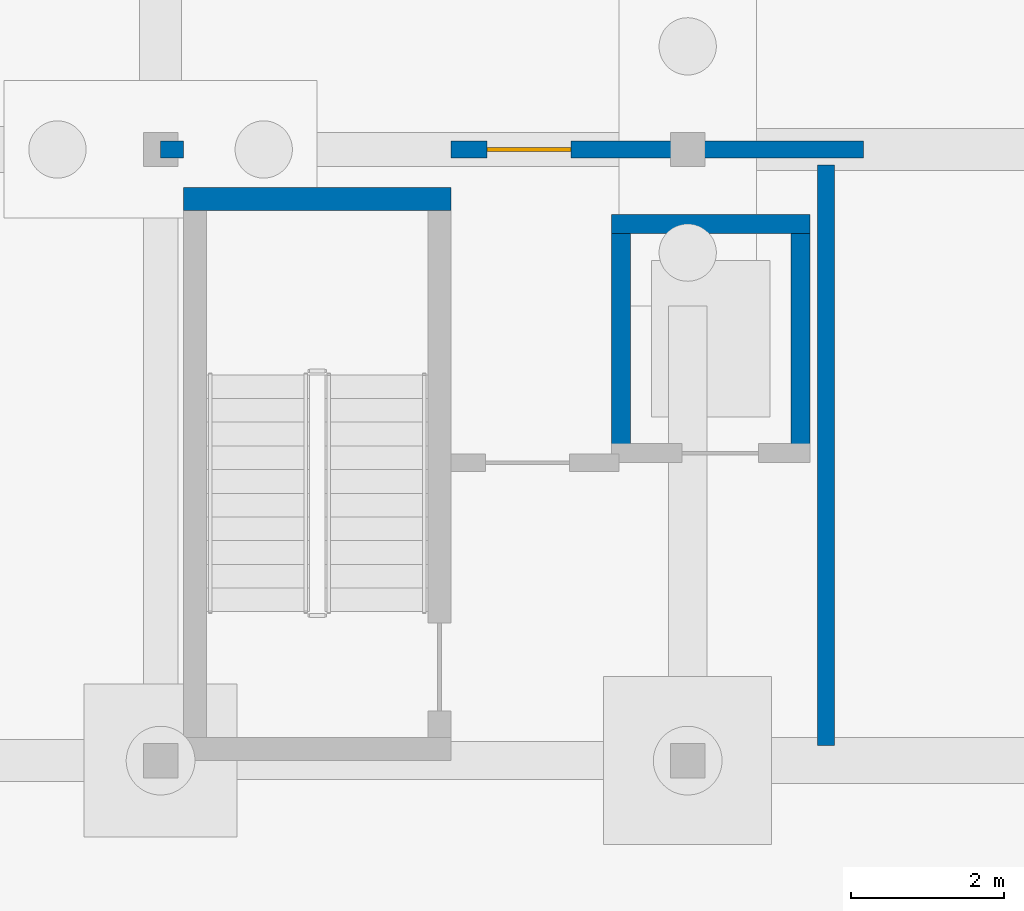
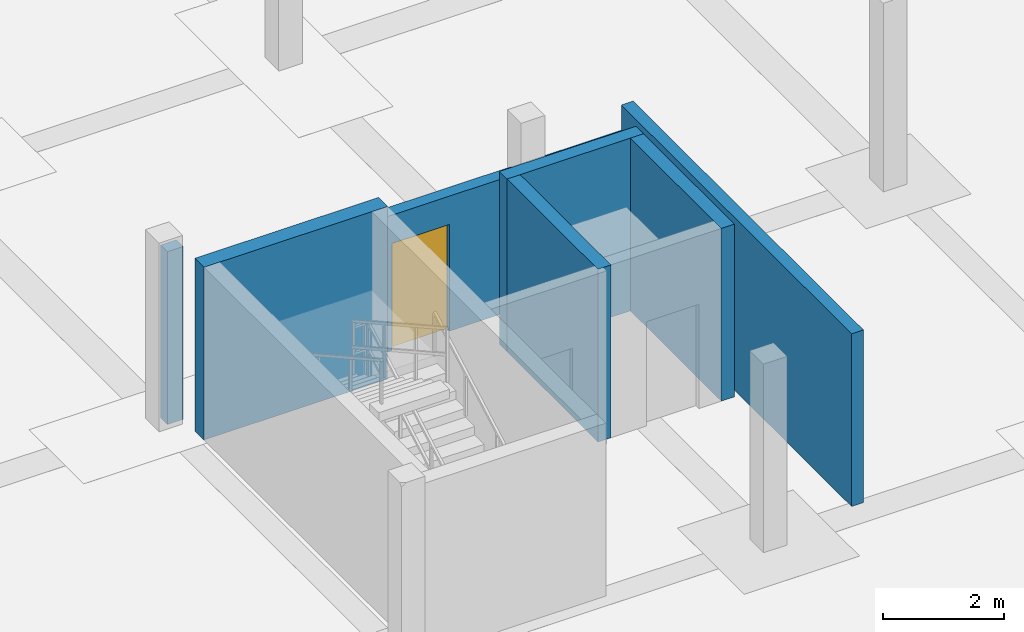
# One storey, part 18 of 38: 7 walls, 1 door, 1 opening.
"""IFC4 building model written with IfcOpenShell, lengths in metres."""

from ifc_helpers import new_model, si_unit, direction, frame, frame_2d, origin, place, context, subcontext, project, spatial, rectangle, extrude, material, layer, layer_set, type_object, element, fill, save


model = new_model("IFC4")

# Units and contexts
model_context = context("Model", 3, precision=1e-05, world=origin(), true_north=direction((0.0, 1.0)))
body_context = subcontext(model_context, "Body", "Model", "MODEL_VIEW")
ifc_project = project(units=[si_unit("LENGTHUNIT", "METRE"), si_unit("AREAUNIT", "SQUARE_METRE"), si_unit("VOLUMEUNIT", "CUBIC_METRE"), si_unit("PLANEANGLEUNIT", "RADIAN"), si_unit("MASSUNIT", "GRAM", prefix="KILO")], contexts=[model_context])

# Site, building, storey
site_placement = place(None, origin())
site = spatial("IfcSite", under=ifc_project, at=site_placement, CompositionType="ELEMENT")
building_placement = place(site_placement, origin())
building = spatial("IfcBuilding", under=site, at=building_placement, Name="Zavelmont Quarter", CompositionType="ELEMENT")
storey_placement = place(building_placement, frame((0.0, 0.0, -3.800048828125)))
storey = spatial("IfcBuildingStorey", under=building, at=storey_placement, Name="B01", CompositionType="ELEMENT", Elevation=-3.800048828125)

# Walls
ifc_material_1 = material(Name="Reinforced masonry fire compartment wall", Category="masonry")
ifc_layer_1 = layer(ifc_material_1, 0.22509765625)
ifc_layer_set_1 = layer_set([ifc_layer_1], Name="Reinforced masonry fire compartment wall")
wall_type_1 = type_object("IfcWallType", Name="IW02", PredefinedType="PARTITIONING", material=ifc_layer_set_1)
wall_1_placement = place(storey_placement, frame((15.610107421875, 30.199951171875, 0.0), z_axis=(0.0, 0.0, 1.0), x_axis=(0.0, 1.0, 0.0)))
element("IfcWall", 1, at=wall_1_placement, inside=storey, type_object=wall_type_1, Name="B01 Firefighting lobby enclosure wall IW02", PredefinedType="PARTITIONING", context=body_context, shape_type="SweptSolid", body=[
    extrude(rectangle(XDim=7.60009765625, YDim=0.22509765625, at=frame_2d((3.800048828125, 0.0))), origin(), (0.0, 0.0, 1.0), 3.47998046875),
])
wall_2_placement = place(storey_placement, frame((6.89990234375, 38.0, 0.0), z_axis=(0.0, 0.0, 1.0), x_axis=(1.0, 0.0, 0.0)))
element("IfcWall", 2, at=wall_2_placement, inside=storey, type_object=wall_type_1, Name="B01 Core corridor wall IW02", PredefinedType="PARTITIONING", context=body_context, shape_type="SweptSolid", body=[
    extrude(rectangle(XDim=0.300048828125, YDim=0.22509765625, at=frame_2d((0.14990234375, 0.0))), origin(), (0.0, 0.0, 1.0), 3.47998046875),
])

# Wall, opening, door
wall_3_placement = place(storey_placement, frame((10.699951171875, 38.0, 0.0), z_axis=(0.0, 0.0, 1.0), x_axis=(1.0, 0.0, 0.0)))
wall_3 = element("IfcWall", 3, at=wall_3_placement, inside=storey, type_object=wall_type_1, Name="B01 Core corridor fire wall IW02", PredefinedType="PARTITIONING", context=body_context, shape_type="SweptSolid", body=[
    extrude(rectangle(XDim=5.400146484375, YDim=0.22509765625, at=frame_2d((2.7001953125, 0.0))), origin(), (0.0, 0.0, 1.0), 2.719970703125),
])
opening_placement = place(wall_3_placement, frame((0.47509765625, 0.0, 0.0)))
opening = element("IfcOpeningElement", 4, at=opening_placement, cuts=wall_3, Name="Opening DR10", PredefinedType="OPENING", context=body_context, shape_type="SweptSolid", body=[
    extrude(rectangle(XDim=1.10009765625, YDim=2.14990234375, at=frame_2d((0.550048828125, 1.074951171875))), frame((0.0, 0.12451171875, 0.0), z_axis=(0.0, -1.0, 0.0), x_axis=(1.0, 0.0, 0.0)), (0.0, 0.0, 1.0), 0.2490234375),
])
ifc_material_2 = material(Name="Painted steel lobby fire door", Category="steel")
door_type = type_object("IfcDoorType", Name="DR10", OperationType="NOTDEFINED", PredefinedType="DOOR", material=ifc_material_2)
door_placement = place(opening_placement, frame((1.10009765625, 0.0, 0.0), z_axis=(0.0, 0.0, 1.0), x_axis=(-1.0, 0.0, 0.0)))
door = element("IfcDoor", 5, at=door_placement, inside=storey, type_object=door_type, Name="Core vestibule fire door", OperationType="SINGLE_SWING_RIGHT", OverallHeight=2.14990234375, OverallWidth=1.10009765625, PredefinedType="DOOR", context=body_context, shape_type="SweptSolid", body=[
    extrude(rectangle(XDim=1.10009765625, YDim=2.14990234375, at=frame_2d((0.550048828125, 1.074951171875))), frame((0.0, 0.02490234375, 0.0), z_axis=(0.0, -1.0, 0.0), x_axis=(1.0, 0.0, 0.0)), (0.0, 0.0, 1.0), 0.050048828125),
])
fill(opening, door)

# Walls
ifc_material_3 = material(Name="Concrete C40/50", Category="concrete")
ifc_layer_2 = layer(ifc_material_3, 0.300048828125)
ifc_layer_set_2 = layer_set([ifc_layer_2], Name="Concrete C40/50")
wall_type_2 = type_object("IfcWallType", Name="SW01", PredefinedType="SHEAR", material=ifc_layer_set_2)
wall_4_placement = place(storey_placement, frame((7.199951171875, 37.35009765625, 0.0), z_axis=(0.0, 0.0, 1.0), x_axis=(1.0, 0.0, 0.0)))
element("IfcWall", 6, at=wall_4_placement, inside=storey, type_object=wall_type_2, Name="B01 ST13 corridor shear wall SW01", PredefinedType="SHEAR", context=body_context, shape_type="SweptSolid", body=[
    extrude(rectangle(XDim=3.5, YDim=0.300048828125, at=frame_2d((1.75, 0.0))), origin(), (0.0, 0.0, 1.0), 3.47998046875),
])
ifc_layer_3 = layer(ifc_material_3, 0.25)
ifc_layer_set_3 = layer_set([ifc_layer_3], Name="Concrete C40/50")
wall_type_3 = type_object("IfcWallType", Name="SW02", PredefinedType="SHEAR", material=ifc_layer_set_3)
wall_5_placement = place(storey_placement, frame((12.800048828125, 37.02490234375, 0.0), z_axis=(0.0, 0.0, 1.0), x_axis=(1.0, 0.0, 0.0)))
element("IfcWall", 7, at=wall_5_placement, inside=storey, type_object=wall_type_3, Name="B01 Lift LF11 back shaft wall SW02", PredefinedType="SHEAR", context=body_context, shape_type="SweptSolid", body=[
    extrude(rectangle(XDim=2.599853515625, YDim=0.25, at=frame_2d((1.2998046875, 0.0))), origin(), (0.0, 0.0, 1.0), 3.47998046875),
])
for number, where, z_axis, x_axis, name in (
    (8, (12.925048828125, 33.89990234375, 0.0), (0.0, 0.0, 1.0), (0.0, 1.0, 0.0), "B01 Lift LF11 west shaft wall SW02"),
    (9, (15.27490234375, 33.89990234375, 0.0), (0.0, 0.0, 1.0), (0.0, 1.0, 0.0), "B01 Lift LF11 east shaft wall SW02"),
):
    element("IfcWall", number, at=place(storey_placement, frame(where, z_axis=z_axis, x_axis=x_axis)), inside=storey, type_object=wall_type_3, Name=name, PredefinedType="SHEAR", context=body_context, shape_type="SweptSolid", body=[
        extrude(rectangle(XDim=3.25, YDim=0.25, at=frame_2d((1.625, 0.0))), origin(), (0.0, 0.0, 1.0), 3.47998046875),
    ])

save(model, "model.ifc")
